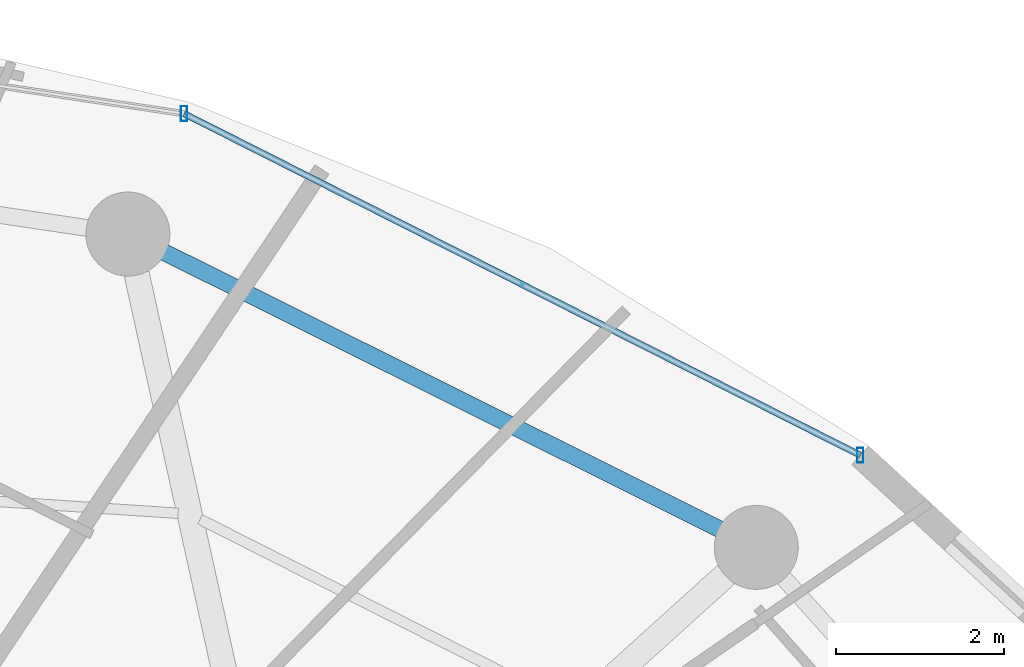
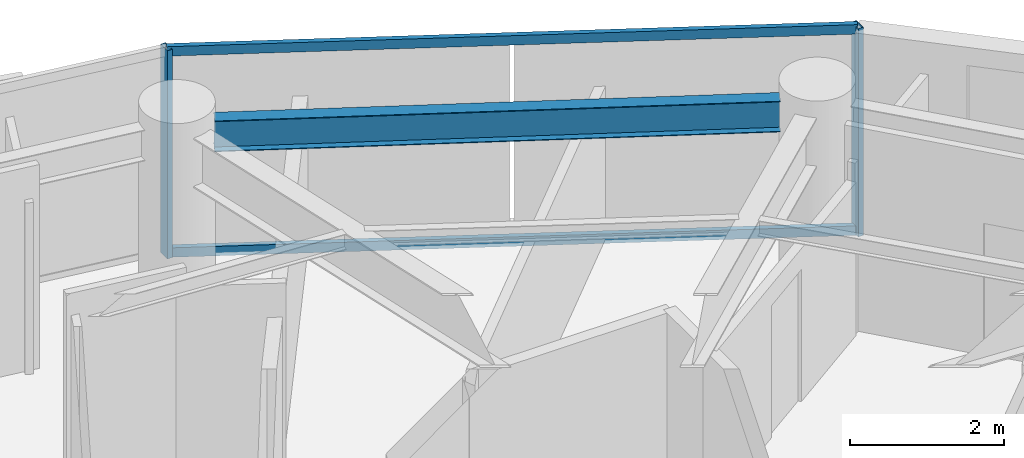
# One storey, part 19 of 30: 4 members, 1 beam, 1 element without a shape of its own.
"""IFC4 building model written with IfcOpenShell, lengths in metres."""

from ifc_helpers import new_model, si_unit, direction, frame, origin, origin_2d, place, context, subcontext, project, spatial, hollow_rectangle, i_section, extrude, material, material_profile, profile_set, type_object, element, aggregate, save


model = new_model("IFC4")

# Units and contexts
model_context = context("Model", 3, precision=1e-05, world=origin(), true_north=direction((0.0, 1.0)))
body_context = subcontext(model_context, "Body", "Model", "MODEL_VIEW")
ifc_project = project(units=[si_unit("LENGTHUNIT", "METRE"), si_unit("AREAUNIT", "SQUARE_METRE"), si_unit("VOLUMEUNIT", "CUBIC_METRE"), si_unit("PLANEANGLEUNIT", "RADIAN"), si_unit("MASSUNIT", "GRAM", prefix="KILO")], contexts=[model_context])

# Site, building, storey
site_placement = place(None, origin())
site = spatial("IfcSite", under=ifc_project, at=site_placement, CompositionType="ELEMENT")
building_placement = place(site_placement, origin())
building = spatial("IfcBuilding", under=site, at=building_placement, Name="Vorneva Point Tower", CompositionType="ELEMENT")
storey_placement = place(building_placement, frame((0.0, 0.0, 157.10009765625)))
storey = spatial("IfcBuildingStorey", under=building, at=storey_placement, Name="L42", CompositionType="ELEMENT", Elevation=157.10009765625)

# Beam
ifc_material_1 = material(Name="Steel S355", Category="steel")
ifc_material_profile_1 = material_profile(ifc_material_1, i_section(OverallWidth=0.199951171875, OverallDepth=0.491943359375, WebThickness=0.0087890625, FlangeThickness=0.011962890625, at=origin_2d()), Name="50B1")
ifc_profile_set_1 = profile_set([ifc_material_profile_1], Name="Steel S355")
beam_type = type_object("IfcBeamType", Name="BM-SPN-50B1", PredefinedType="SPANDREL", material=ifc_profile_set_1)
beam_placement = place(storey_placement, frame((53.86474609375, 38.378662109375, 2.993896484375), z_axis=(-0.894929061397, 0.446208443518, 0.0), x_axis=(-0.446208443518, -0.894929061397, 0.0)))
element("IfcBeam", 1, at=beam_placement, inside=storey, type_object=beam_type, Name="L42 Perimeter Spandrel Ring Beam 03", PredefinedType="SPANDREL", context=body_context, shape_type="SweptSolid", body=[
    extrude(i_section(OverallWidth=0.199951171875, OverallDepth=0.491943359375, WebThickness=0.0087890625, FlangeThickness=0.011962890625, at=origin_2d()), origin(), (0.0, 0.0, 1.0), 7.385986328125),
])

# Curtain wall, members
ifc_material_2 = material(Name="Pale anodised aluminium", Category="aluminium")
curtain_wall_type = type_object("IfcCurtainWallType", Name="CW-RES-SYS", PredefinedType="NOTDEFINED", material=ifc_material_2)
curtain_wall_placement = place(storey_placement, origin())
curtain_wall = element("IfcCurtainWall", 2, at=curtain_wall_placement, inside=storey, type_object=curtain_wall_type, Name="L42 Unitised Curtain Wall CW-L42-R02", PredefinedType="NOTDEFINED")
ifc_material_profile_2 = material_profile(ifc_material_2, hollow_rectangle(XDim=0.074951171875, YDim=0.179931640625, WallThickness=0.00390625, at=origin_2d()), Name="AL-MUL 180x75x4")
ifc_profile_set_2 = profile_set([ifc_material_profile_2], Name="Pale anodised aluminium")
member_type_1 = type_object("IfcMemberType", Name="CW-MUL-180", PredefinedType="MULLION", material=ifc_profile_set_2)
member_1_placement = place(storey_placement, frame((55.5361328125, 39.25830078125, -0.0400390625), z_axis=(0.0, 0.0, 1.0), x_axis=(1.0, 0.0, 0.0)))
member_1 = element("IfcMember", 3, at=member_1_placement, type_object=member_type_1, Name="CW-L42-R02 Mullion 01", PredefinedType="MULLION", context=body_context, shape_type="SweptSolid", body=[
    extrude(hollow_rectangle(XDim=0.074951171875, YDim=0.179931640625, WallThickness=0.00390625, at=origin_2d()), origin(), (0.0, 0.0, 1.0), 3.31005859375),
])
member_2_placement = place(storey_placement, frame((47.490478515625, 43.32275390625, -0.0400390625), z_axis=(0.0, 0.0, 1.0), x_axis=(1.0, 0.0, 0.0)))
member_2 = element("IfcMember", 4, at=member_2_placement, type_object=member_type_1, Name="CW-L42-R02 Mullion 02", PredefinedType="MULLION", context=body_context, shape_type="SweptSolid", body=[
    extrude(hollow_rectangle(XDim=0.074951171875, YDim=0.179931640625, WallThickness=0.00390625, at=origin_2d()), origin(), (0.0, 0.0, 1.0), 3.31005859375),
])
ifc_material_profile_3 = material_profile(ifc_material_2, hollow_rectangle(XDim=0.074951171875, YDim=0.14990234375, WallThickness=0.00390625, at=origin_2d()), Name="AL-TRN 150x75x4")
ifc_profile_set_3 = profile_set([ifc_material_profile_3], Name="Pale anodised aluminium")
member_type_2 = type_object("IfcMemberType", Name="CW-TRN-150", PredefinedType="USERDEFINED", material=ifc_profile_set_3)
member_3_placement = place(storey_placement, frame((55.5361328125, 39.25830078125, 0.02001953125), z_axis=(-0.892572392955, 0.450904117673, 0.0), x_axis=(-0.450904117673, -0.892572392955, 0.0)))
member_3 = element("IfcMember", 5, at=member_3_placement, type_object=member_type_2, Name="CW-L42-R02 Transom 01.1", ObjectType="TRANSOM", PredefinedType="USERDEFINED", context=body_context, shape_type="SweptSolid", body=[
    extrude(hollow_rectangle(XDim=0.074951171875, YDim=0.14990234375, WallThickness=0.00390625, at=origin_2d()), origin(), (0.0, 0.0, 1.0), 9.013916015625),
])
member_4_placement = place(storey_placement, frame((55.5361328125, 39.25830078125, 3.219970703125), z_axis=(-0.892572392955, 0.450904117673, 0.0), x_axis=(-0.450904117673, -0.892572392955, 0.0)))
member_4 = element("IfcMember", 6, at=member_4_placement, type_object=member_type_2, Name="CW-L42-R02 Transom 01.2", ObjectType="TRANSOM", PredefinedType="USERDEFINED", context=body_context, shape_type="SweptSolid", body=[
    extrude(hollow_rectangle(XDim=0.074951171875, YDim=0.14990234375, WallThickness=0.00390625, at=origin_2d()), origin(), (0.0, 0.0, 1.0), 9.013916015625),
])
aggregate(curtain_wall, [member_1, member_2, member_3, member_4])

save(model, "model.ifc")
